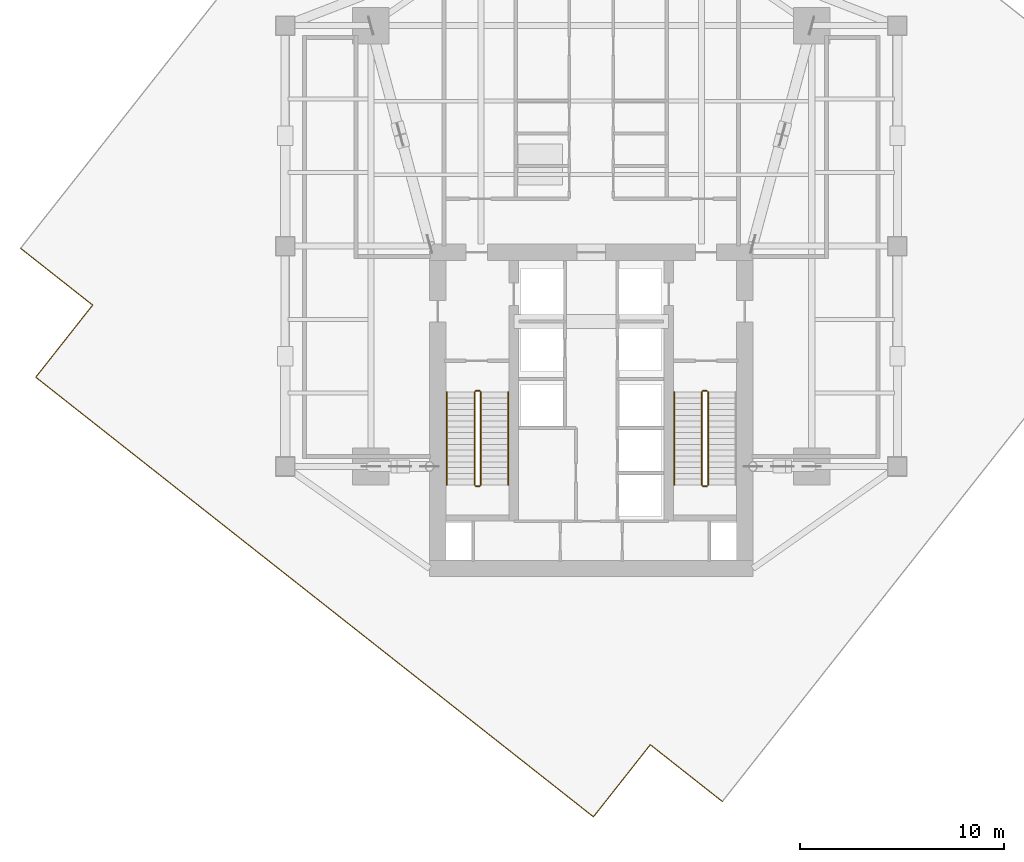
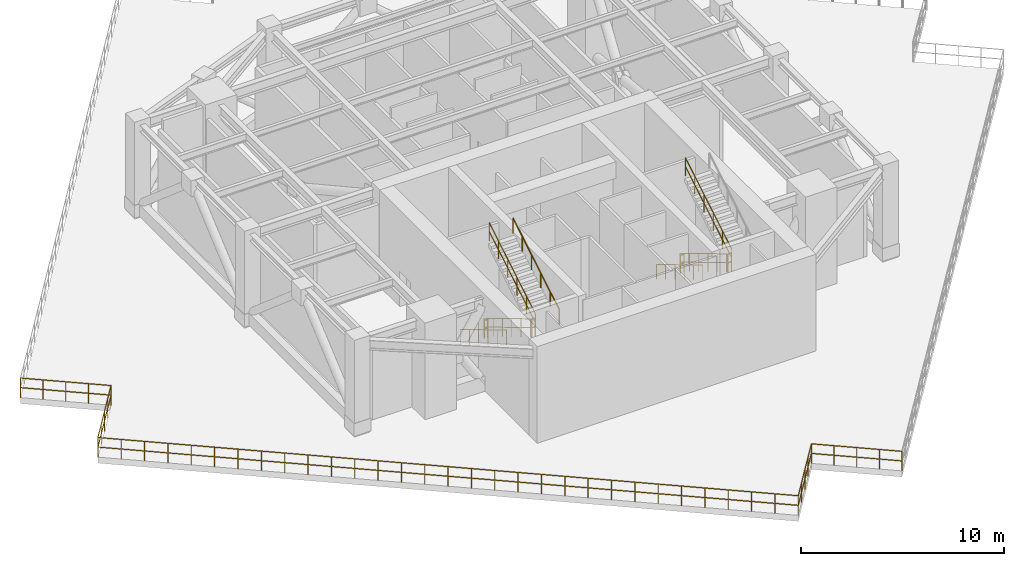
# One storey, part 7 of 8: 16 railings.
"""IFC4 building model written with IfcOpenShell, lengths in metres."""

from ifc_helpers import new_model, si_unit, direction, frame, origin, origin_2d, place, context, subcontext, project, spatial, circle, extrude, material, layer, layer_set, type_object, element, save


model = new_model("IFC4")

# Units and contexts
model_context = context("Model", 3, precision=1e-05, world=origin(), true_north=direction((0.0, 1.0)))
body_context = subcontext(model_context, "Body", "Model", "MODEL_VIEW")
ifc_project = project(units=[si_unit("LENGTHUNIT", "METRE"), si_unit("AREAUNIT", "SQUARE_METRE"), si_unit("VOLUMEUNIT", "CUBIC_METRE"), si_unit("PLANEANGLEUNIT", "RADIAN"), si_unit("MASSUNIT", "GRAM", prefix="KILO")], contexts=[model_context])

# Site, building, storey
site_placement = place(None, origin())
site = spatial("IfcSite", under=ifc_project, at=site_placement, CompositionType="ELEMENT")
building_placement = place(site_placement, origin())
building = spatial("IfcBuilding", under=site, at=building_placement, Name="Krantzveldt Concourse Tower", CompositionType="ELEMENT")
storey_placement = place(building_placement, frame((0.0, 0.0, 201.5)))
storey = spatial("IfcBuildingStorey", under=building, at=storey_placement, Name="L49", CompositionType="ELEMENT", Elevation=201.5)

# Railings
ifc_material = material(Name="Stainless steel 316L", Category="steel")
ifc_layer_1 = layer(ifc_material, 0.080078125, Name="Stainless steel 316L", Category="steel")
ifc_layer_set_1 = layer_set([ifc_layer_1], Name="Stainless steel 316L (RL-BALUSTRADE-1150)")
railing_type_1 = type_object("IfcRailingType", Name="RL-BALUSTRADE-1150", PredefinedType="BALUSTRADE", material=ifc_layer_set_1)
railing_1_placement = place(storey_placement, frame((8.029296875, 26.59375, 0.0)))
element("IfcRailing", 1, at=railing_1_placement, inside=storey, type_object=railing_type_1, Name="GD-L49-WIND-03", PredefinedType="BALUSTRADE", context=body_context, shape_type="SweptSolid", body=[
    extrude(circle(Radius=0.02392578125, at=origin_2d()), frame((0.0, 0.0, 1.17578125), z_axis=(0.785295035078, -0.619121722992, 0.0), x_axis=(0.619121722992, 0.785295035078, 0.0)), (0.0, 0.0, 1.0), 4.500244140625),
    extrude(circle(Radius=0.02392578125, at=origin_2d()), frame((0.0, 0.0, 0.60009765625), z_axis=(0.785295035078, -0.619121722992, 0.0), x_axis=(0.619121722992, 0.785295035078, 0.0)), (0.0, 0.0, 1.0), 4.500244140625),
    extrude(circle(Radius=0.02099609375, at=origin_2d()), origin(), (0.0, 0.0, 1.0), 1.15185546875),
    extrude(circle(Radius=0.02099609375, at=origin_2d()), frame((0.883544921875, -0.696533203125, 0.0)), (0.0, 0.0, 1.0), 1.15185546875),
    extrude(circle(Radius=0.02099609375, at=origin_2d()), frame((1.76708984375, -1.39306640625, 0.0)), (0.0, 0.0, 1.0), 1.15185546875),
    extrude(circle(Radius=0.02099609375, at=origin_2d()), frame((2.650390625, -2.089599609375, 0.0)), (0.0, 0.0, 1.0), 1.15185546875),
    extrude(circle(Radius=0.02099609375, at=origin_2d()), frame((3.533935546875, -2.7861328125, 0.0)), (0.0, 0.0, 1.0), 1.15185546875),
])
railing_2_placement = place(storey_placement, frame((11.563232421875, 23.8076171875, 0.0)))
element("IfcRailing", 2, at=railing_2_placement, inside=storey, type_object=railing_type_1, Name="GD-L49-WIND-04", PredefinedType="BALUSTRADE", context=body_context, shape_type="SweptSolid", body=[
    extrude(circle(Radius=0.02392578125, at=origin_2d()), frame((0.0, 0.0, 1.17578125), z_axis=(-0.619088264847, -0.785321412116, 0.0), x_axis=(0.785321412116, -0.619088264847, 0.0)), (0.0, 0.0, 1.0), 4.5),
    extrude(circle(Radius=0.02392578125, at=origin_2d()), frame((0.0, 0.0, 0.60009765625), z_axis=(-0.619088264847, -0.785321412116, 0.0), x_axis=(0.785321412116, -0.619088264847, 0.0)), (0.0, 0.0, 1.0), 4.5),
    extrude(circle(Radius=0.02099609375, at=origin_2d()), origin(), (0.0, 0.0, 1.0), 1.15185546875),
    extrude(circle(Radius=0.02099609375, at=origin_2d()), frame((-0.696533203125, -0.883544921875, 0.0)), (0.0, 0.0, 1.0), 1.15185546875),
    extrude(circle(Radius=0.02099609375, at=origin_2d()), frame((-1.39306640625, -1.76708984375, 0.0)), (0.0, 0.0, 1.0), 1.15185546875),
    extrude(circle(Radius=0.02099609375, at=origin_2d()), frame((-2.08935546875, -2.650390625, 0.0)), (0.0, 0.0, 1.0), 1.15185546875),
    extrude(circle(Radius=0.02099609375, at=origin_2d()), frame((-2.785888671875, -3.533935546875, 0.0)), (0.0, 0.0, 1.0), 1.15185546875),
])
railing_3_placement = place(storey_placement, frame((8.77734375, 20.273681640625, 0.0)))
element("IfcRailing", 3, at=railing_3_placement, inside=storey, type_object=railing_type_1, Name="GD-L49-WIND-05", PredefinedType="BALUSTRADE", context=body_context, shape_type="SweptSolid", body=[
    extrude(circle(Radius=0.02392578125, at=origin_2d()), frame((0.0, 0.0, 1.17578125), z_axis=(0.785318228662, -0.619092303078, 0.0), x_axis=(0.619092303078, 0.785318228662, 0.0)), (0.0, 0.0, 1.0), 34.800048828125),
    extrude(circle(Radius=0.02392578125, at=origin_2d()), frame((0.0, 0.0, 0.60009765625), z_axis=(0.785318228662, -0.619092303078, 0.0), x_axis=(0.619092303078, 0.785318228662, 0.0)), (0.0, 0.0, 1.0), 34.800048828125),
    extrude(circle(Radius=0.02099609375, at=origin_2d()), origin(), (0.0, 0.0, 1.0), 1.15185546875),
    extrude(circle(Radius=0.02099609375, at=origin_2d()), frame((0.910888671875, -0.71826171875, 0.0)), (0.0, 0.0, 1.0), 1.15185546875),
    extrude(circle(Radius=0.02099609375, at=origin_2d()), frame((1.822021484375, -1.436279296875, 0.0)), (0.0, 0.0, 1.0), 1.15185546875),
    extrude(circle(Radius=0.02099609375, at=origin_2d()), frame((2.73291015625, -2.154541015625, 0.0)), (0.0, 0.0, 1.0), 1.15185546875),
    extrude(circle(Radius=0.02099609375, at=origin_2d()), frame((3.643798828125, -2.87255859375, 0.0)), (0.0, 0.0, 1.0), 1.15185546875),
    extrude(circle(Radius=0.02099609375, at=origin_2d()), frame((4.554931640625, -3.5908203125, 0.0)), (0.0, 0.0, 1.0), 1.15185546875),
    extrude(circle(Radius=0.02099609375, at=origin_2d()), frame((5.4658203125, -4.308837890625, 0.0)), (0.0, 0.0, 1.0), 1.15185546875),
    extrude(circle(Radius=0.02099609375, at=origin_2d()), frame((6.376708984375, -5.027099609375, 0.0)), (0.0, 0.0, 1.0), 1.15185546875),
    extrude(circle(Radius=0.02099609375, at=origin_2d()), frame((7.287841796875, -5.7451171875, 0.0)), (0.0, 0.0, 1.0), 1.15185546875),
    extrude(circle(Radius=0.02099609375, at=origin_2d()), frame((8.19873046875, -6.46337890625, 0.0)), (0.0, 0.0, 1.0), 1.15185546875),
    extrude(circle(Radius=0.02099609375, at=origin_2d()), frame((9.109619140625, -7.181396484375, 0.0)), (0.0, 0.0, 1.0), 1.15185546875),
    extrude(circle(Radius=0.02099609375, at=origin_2d()), frame((10.020751953125, -7.899658203125, 0.0)), (0.0, 0.0, 1.0), 1.15185546875),
    extrude(circle(Radius=0.02099609375, at=origin_2d()), frame((10.931640625, -8.61767578125, 0.0)), (0.0, 0.0, 1.0), 1.15185546875),
    extrude(circle(Radius=0.02099609375, at=origin_2d()), frame((11.842529296875, -9.3359375, 0.0)), (0.0, 0.0, 1.0), 1.15185546875),
    extrude(circle(Radius=0.02099609375, at=origin_2d()), frame((12.753662109375, -10.053955078125, 0.0)), (0.0, 0.0, 1.0), 1.15185546875),
    extrude(circle(Radius=0.02099609375, at=origin_2d()), frame((13.66455078125, -10.772216796875, 0.0)), (0.0, 0.0, 1.0), 1.15185546875),
    extrude(circle(Radius=0.02099609375, at=origin_2d()), frame((14.575439453125, -11.490478515625, 0.0)), (0.0, 0.0, 1.0), 1.15185546875),
    extrude(circle(Radius=0.02099609375, at=origin_2d()), frame((15.486572265625, -12.20849609375, 0.0)), (0.0, 0.0, 1.0), 1.15185546875),
    extrude(circle(Radius=0.02099609375, at=origin_2d()), frame((16.3974609375, -12.9267578125, 0.0)), (0.0, 0.0, 1.0), 1.15185546875),
    extrude(circle(Radius=0.02099609375, at=origin_2d()), frame((17.308349609375, -13.644775390625, 0.0)), (0.0, 0.0, 1.0), 1.15185546875),
    extrude(circle(Radius=0.02099609375, at=origin_2d()), frame((18.219482421875, -14.363037109375, 0.0)), (0.0, 0.0, 1.0), 1.15185546875),
    extrude(circle(Radius=0.02099609375, at=origin_2d()), frame((19.13037109375, -15.0810546875, 0.0)), (0.0, 0.0, 1.0), 1.15185546875),
    extrude(circle(Radius=0.02099609375, at=origin_2d()), frame((20.041259765625, -15.79931640625, 0.0)), (0.0, 0.0, 1.0), 1.15185546875),
    extrude(circle(Radius=0.02099609375, at=origin_2d()), frame((20.952392578125, -16.517333984375, 0.0)), (0.0, 0.0, 1.0), 1.15185546875),
    extrude(circle(Radius=0.02099609375, at=origin_2d()), frame((21.86328125, -17.235595703125, 0.0)), (0.0, 0.0, 1.0), 1.15185546875),
    extrude(circle(Radius=0.02099609375, at=origin_2d()), frame((22.774169921875, -17.95361328125, 0.0)), (0.0, 0.0, 1.0), 1.15185546875),
    extrude(circle(Radius=0.02099609375, at=origin_2d()), frame((23.685302734375, -18.671875, 0.0)), (0.0, 0.0, 1.0), 1.15185546875),
    extrude(circle(Radius=0.02099609375, at=origin_2d()), frame((24.59619140625, -19.389892578125, 0.0)), (0.0, 0.0, 1.0), 1.15185546875),
    extrude(circle(Radius=0.02099609375, at=origin_2d()), frame((25.507080078125, -20.108154296875, 0.0)), (0.0, 0.0, 1.0), 1.15185546875),
    extrude(circle(Radius=0.02099609375, at=origin_2d()), frame((26.418212890625, -20.826171875, 0.0)), (0.0, 0.0, 1.0), 1.15185546875),
    extrude(circle(Radius=0.02099609375, at=origin_2d()), frame((27.3291015625, -21.54443359375, 0.0)), (0.0, 0.0, 1.0), 1.15185546875),
])
railing_4_placement = place(storey_placement, frame((36.1064453125, -1.270751953125, 0.0)))
element("IfcRailing", 4, at=railing_4_placement, inside=storey, type_object=railing_type_1, Name="GD-L49-WIND-06", PredefinedType="BALUSTRADE", context=body_context, shape_type="SweptSolid", body=[
    extrude(circle(Radius=0.02392578125, at=origin_2d()), frame((0.0, 0.0, 1.17578125), z_axis=(0.619088264847, 0.785321412116, 0.0), x_axis=(-0.785321412116, 0.619088264847, 0.0)), (0.0, 0.0, 1.0), 4.5),
    extrude(circle(Radius=0.02392578125, at=origin_2d()), frame((0.0, 0.0, 0.60009765625), z_axis=(0.619088264847, 0.785321412116, 0.0), x_axis=(-0.785321412116, 0.619088264847, 0.0)), (0.0, 0.0, 1.0), 4.5),
    extrude(circle(Radius=0.02099609375, at=origin_2d()), origin(), (0.0, 0.0, 1.0), 1.15185546875),
    extrude(circle(Radius=0.02099609375, at=origin_2d()), frame((0.696533203125, 0.883544921875, 0.0)), (0.0, 0.0, 1.0), 1.15185546875),
    extrude(circle(Radius=0.02099609375, at=origin_2d()), frame((1.39306640625, 1.76708984375, 0.0)), (0.0, 0.0, 1.0), 1.15185546875),
    extrude(circle(Radius=0.02099609375, at=origin_2d()), frame((2.08935546875, 2.650390625, 0.0)), (0.0, 0.0, 1.0), 1.15185546875),
    extrude(circle(Radius=0.02099609375, at=origin_2d()), frame((2.785888671875, 3.533935546875, 0.0)), (0.0, 0.0, 1.0), 1.15185546875),
])
railing_5_placement = place(storey_placement, frame((38.892333984375, 2.26318359375, 0.0)))
element("IfcRailing", 5, at=railing_5_placement, inside=storey, type_object=railing_type_1, Name="GD-L49-WIND-07", PredefinedType="BALUSTRADE", context=body_context, shape_type="SweptSolid", body=[
    extrude(circle(Radius=0.02392578125, at=origin_2d()), frame((0.0, 0.0, 1.17578125), z_axis=(0.785321412116, -0.619088264847, 0.0), x_axis=(0.619088264847, 0.785321412116, 0.0)), (0.0, 0.0, 1.0), 4.5),
    extrude(circle(Radius=0.02392578125, at=origin_2d()), frame((0.0, 0.0, 0.60009765625), z_axis=(0.785321412116, -0.619088264847, 0.0), x_axis=(0.619088264847, 0.785321412116, 0.0)), (0.0, 0.0, 1.0), 4.5),
    extrude(circle(Radius=0.02099609375, at=origin_2d()), origin(), (0.0, 0.0, 1.0), 1.15185546875),
    extrude(circle(Radius=0.02099609375, at=origin_2d()), frame((0.883544921875, -0.696533203125, 0.0)), (0.0, 0.0, 1.0), 1.15185546875),
    extrude(circle(Radius=0.02099609375, at=origin_2d()), frame((1.76708984375, -1.39306640625, 0.0)), (0.0, 0.0, 1.0), 1.15185546875),
    extrude(circle(Radius=0.02099609375, at=origin_2d()), frame((2.650390625, -2.08935546875, 0.0)), (0.0, 0.0, 1.0), 1.15185546875),
    extrude(circle(Radius=0.02099609375, at=origin_2d()), frame((3.533935546875, -2.785888671875, 0.0)), (0.0, 0.0, 1.0), 1.15185546875),
])
ifc_layer_2 = layer(ifc_material, 0.06005859375, Name="Stainless steel 316L", Category="steel")
ifc_layer_set_2 = layer_set([ifc_layer_2], Name="Stainless steel 316L (RL-GUARD-1120)")
railing_type_2 = type_object("IfcRailingType", Name="RL-GUARD-1120", PredefinedType="GUARDRAIL", material=ifc_layer_set_2)
railing_6_placement = place(storey_placement, frame((30.280029296875, 19.550048828125, 0.170654296875)))
element("IfcRailing", 6, at=railing_6_placement, inside=storey, type_object=railing_type_2, Name="L49 ST-1 stair guard 1", PredefinedType="GUARDRAIL", context=body_context, shape_type="SweptSolid", body=[
    extrude(circle(Radius=0.02392578125, at=origin_2d()), frame((0.0, 0.0, 1.076171875), z_axis=(0.0, -0.858055844578, 0.513556391827), x_axis=(1.0, 0.0, 0.0)), (0.0, 0.0, 1.0), 5.314453125),
    extrude(circle(Radius=0.02392578125, at=origin_2d()), frame((0.0, 0.0, 0.550048828125), z_axis=(0.0, -0.858055844578, 0.513556391827), x_axis=(1.0, 0.0, 0.0)), (0.0, 0.0, 1.0), 5.314453125),
    extrude(circle(Radius=0.02099609375, at=origin_2d()), origin(), (0.0, 0.0, 1.0), 1.052001953125),
    extrude(circle(Radius=0.02099609375, at=origin_2d()), frame((0.0, -0.912109375, 0.5458984375)), (0.0, 0.0, 1.0), 1.052001953125),
    extrude(circle(Radius=0.02099609375, at=origin_2d()), frame((0.0, -1.823974609375, 1.091796875)), (0.0, 0.0, 1.0), 1.052001953125),
    extrude(circle(Radius=0.02099609375, at=origin_2d()), frame((0.0, -2.736083984375, 1.637451171875)), (0.0, 0.0, 1.0), 1.052001953125),
    extrude(circle(Radius=0.02099609375, at=origin_2d()), frame((0.0, -3.64794921875, 2.183349609375)), (0.0, 0.0, 1.0), 1.052001953125),
    extrude(circle(Radius=0.02099609375, at=origin_2d()), frame((0.0, -4.56005859375, 2.729248046875)), (0.0, 0.0, 1.0), 1.052001953125),
])
railing_7_placement = place(storey_placement, frame((30.330078125, 14.93994140625, 2.89990234375)))
element("IfcRailing", 7, at=railing_7_placement, inside=storey, type_object=railing_type_2, Name="L49 ST-1 stair guard 2", PredefinedType="GUARDRAIL", context=body_context, shape_type="SweptSolid", body=[
    extrude(circle(Radius=0.02392578125, at=origin_2d()), frame((0.0, 0.0, 1.076171875), z_axis=(1.0, 0.0, 0.0), x_axis=(0.0, 1.0, 0.0)), (0.0, 0.0, 1.0), 0.199951171875),
    extrude(circle(Radius=0.02392578125, at=origin_2d()), frame((0.0, 0.0, 0.550048828125), z_axis=(1.0, 0.0, 0.0), x_axis=(0.0, 1.0, 0.0)), (0.0, 0.0, 1.0), 0.199951171875),
    extrude(circle(Radius=0.02099609375, at=origin_2d()), origin(), (0.0, 0.0, 1.0), 1.052001953125),
    extrude(circle(Radius=0.02099609375, at=origin_2d()), frame((0.199951171875, 0.0, 0.0)), (0.0, 0.0, 1.0), 1.052001953125),
])
railing_8_placement = place(storey_placement, frame((30.580078125, 14.989990234375, 3.070556640625)))
element("IfcRailing", 8, at=railing_8_placement, inside=storey, type_object=railing_type_2, Name="L49 ST-1 stair guard 3", PredefinedType="GUARDRAIL", context=body_context, shape_type="SweptSolid", body=[
    extrude(circle(Radius=0.02392578125, at=origin_2d()), frame((0.0, 0.0, 1.076171875), z_axis=(0.0, 0.858035600736, 0.513590213954), x_axis=(-1.0, 0.0, 0.0)), (0.0, 0.0, 1.0), 5.314453125),
    extrude(circle(Radius=0.02392578125, at=origin_2d()), frame((0.0, 0.0, 0.550048828125), z_axis=(0.0, 0.858035600736, 0.513590213954), x_axis=(-1.0, 0.0, 0.0)), (0.0, 0.0, 1.0), 5.314453125),
    extrude(circle(Radius=0.02099609375, at=origin_2d()), origin(), (0.0, 0.0, 1.0), 1.052001953125),
    extrude(circle(Radius=0.02099609375, at=origin_2d()), frame((0.0, 0.912109375, 0.5458984375)), (0.0, 0.0, 1.0), 1.052001953125),
    extrude(circle(Radius=0.02099609375, at=origin_2d()), frame((0.0, 1.823974609375, 1.091796875)), (0.0, 0.0, 1.0), 1.052001953125),
    extrude(circle(Radius=0.02099609375, at=origin_2d()), frame((0.0, 2.736083984375, 1.6376953125)), (0.0, 0.0, 1.0), 1.052001953125),
    extrude(circle(Radius=0.02099609375, at=origin_2d()), frame((0.0, 3.64794921875, 2.18359375)), (0.0, 0.0, 1.0), 1.052001953125),
    extrude(circle(Radius=0.02099609375, at=origin_2d()), frame((0.0, 4.56005859375, 2.7294921875)), (0.0, 0.0, 1.0), 1.052001953125),
])
railing_9_placement = place(storey_placement, frame((30.330078125, 19.60009765625, 0.0)))
element("IfcRailing", 9, at=railing_9_placement, inside=storey, type_object=railing_type_2, Name="L49 ST-1 stair guard 4", PredefinedType="GUARDRAIL", context=body_context, shape_type="SweptSolid", body=[
    extrude(circle(Radius=0.02392578125, at=origin_2d()), frame((0.0, 0.0, 1.076171875), z_axis=(1.0, 0.0, 0.0), x_axis=(0.0, 1.0, 0.0)), (0.0, 0.0, 1.0), 0.199951171875),
    extrude(circle(Radius=0.02392578125, at=origin_2d()), frame((0.0, 0.0, 0.550048828125), z_axis=(1.0, 0.0, 0.0), x_axis=(0.0, 1.0, 0.0)), (0.0, 0.0, 1.0), 0.199951171875),
    extrude(circle(Radius=0.02099609375, at=origin_2d()), origin(), (0.0, 0.0, 1.0), 1.052001953125),
    extrude(circle(Radius=0.02099609375, at=origin_2d()), frame((0.199951171875, 0.0, 0.0)), (0.0, 0.0, 1.0), 1.052001953125),
])
railing_10_placement = place(storey_placement, frame((41.419921875, 19.550048828125, 0.170654296875)))
element("IfcRailing", 10, at=railing_10_placement, inside=storey, type_object=railing_type_2, Name="L49 ST-2 stair guard 1", PredefinedType="GUARDRAIL", context=body_context, shape_type="SweptSolid", body=[
    extrude(circle(Radius=0.02392578125, at=origin_2d()), frame((0.0, 0.0, 1.076171875), z_axis=(0.0, -0.858055844578, 0.513556391827), x_axis=(1.0, 0.0, 0.0)), (0.0, 0.0, 1.0), 5.314453125),
    extrude(circle(Radius=0.02392578125, at=origin_2d()), frame((0.0, 0.0, 0.550048828125), z_axis=(0.0, -0.858055844578, 0.513556391827), x_axis=(1.0, 0.0, 0.0)), (0.0, 0.0, 1.0), 5.314453125),
    extrude(circle(Radius=0.02099609375, at=origin_2d()), origin(), (0.0, 0.0, 1.0), 1.052001953125),
    extrude(circle(Radius=0.02099609375, at=origin_2d()), frame((0.0, -0.912109375, 0.5458984375)), (0.0, 0.0, 1.0), 1.052001953125),
    extrude(circle(Radius=0.02099609375, at=origin_2d()), frame((0.0, -1.823974609375, 1.091796875)), (0.0, 0.0, 1.0), 1.052001953125),
    extrude(circle(Radius=0.02099609375, at=origin_2d()), frame((0.0, -2.736083984375, 1.637451171875)), (0.0, 0.0, 1.0), 1.052001953125),
    extrude(circle(Radius=0.02099609375, at=origin_2d()), frame((0.0, -3.64794921875, 2.183349609375)), (0.0, 0.0, 1.0), 1.052001953125),
    extrude(circle(Radius=0.02099609375, at=origin_2d()), frame((0.0, -4.56005859375, 2.729248046875)), (0.0, 0.0, 1.0), 1.052001953125),
])
railing_11_placement = place(storey_placement, frame((41.469970703125, 14.93994140625, 2.89990234375)))
element("IfcRailing", 11, at=railing_11_placement, inside=storey, type_object=railing_type_2, Name="L49 ST-2 stair guard 2", PredefinedType="GUARDRAIL", context=body_context, shape_type="SweptSolid", body=[
    extrude(circle(Radius=0.02392578125, at=origin_2d()), frame((0.0, 0.0, 1.076171875), z_axis=(1.0, 0.0, 0.0), x_axis=(0.0, 1.0, 0.0)), (0.0, 0.0, 1.0), 0.199951171875),
    extrude(circle(Radius=0.02392578125, at=origin_2d()), frame((0.0, 0.0, 0.550048828125), z_axis=(1.0, 0.0, 0.0), x_axis=(0.0, 1.0, 0.0)), (0.0, 0.0, 1.0), 0.199951171875),
    extrude(circle(Radius=0.02099609375, at=origin_2d()), origin(), (0.0, 0.0, 1.0), 1.052001953125),
    extrude(circle(Radius=0.02099609375, at=origin_2d()), frame((0.199951171875, 0.0, 0.0)), (0.0, 0.0, 1.0), 1.052001953125),
])
railing_12_placement = place(storey_placement, frame((41.719970703125, 14.989990234375, 3.070556640625)))
element("IfcRailing", 12, at=railing_12_placement, inside=storey, type_object=railing_type_2, Name="L49 ST-2 stair guard 3", PredefinedType="GUARDRAIL", context=body_context, shape_type="SweptSolid", body=[
    extrude(circle(Radius=0.02392578125, at=origin_2d()), frame((0.0, 0.0, 1.076171875), z_axis=(0.0, 0.858035600736, 0.513590213954), x_axis=(-1.0, 0.0, 0.0)), (0.0, 0.0, 1.0), 5.314453125),
    extrude(circle(Radius=0.02392578125, at=origin_2d()), frame((0.0, 0.0, 0.550048828125), z_axis=(0.0, 0.858035600736, 0.513590213954), x_axis=(-1.0, 0.0, 0.0)), (0.0, 0.0, 1.0), 5.314453125),
    extrude(circle(Radius=0.02099609375, at=origin_2d()), origin(), (0.0, 0.0, 1.0), 1.052001953125),
    extrude(circle(Radius=0.02099609375, at=origin_2d()), frame((0.0, 0.912109375, 0.5458984375)), (0.0, 0.0, 1.0), 1.052001953125),
    extrude(circle(Radius=0.02099609375, at=origin_2d()), frame((0.0, 1.823974609375, 1.091796875)), (0.0, 0.0, 1.0), 1.052001953125),
    extrude(circle(Radius=0.02099609375, at=origin_2d()), frame((0.0, 2.736083984375, 1.6376953125)), (0.0, 0.0, 1.0), 1.052001953125),
    extrude(circle(Radius=0.02099609375, at=origin_2d()), frame((0.0, 3.64794921875, 2.18359375)), (0.0, 0.0, 1.0), 1.052001953125),
    extrude(circle(Radius=0.02099609375, at=origin_2d()), frame((0.0, 4.56005859375, 2.7294921875)), (0.0, 0.0, 1.0), 1.052001953125),
])
railing_13_placement = place(storey_placement, frame((41.469970703125, 19.60009765625, 0.0)))
element("IfcRailing", 13, at=railing_13_placement, inside=storey, type_object=railing_type_2, Name="L49 ST-2 stair guard 4", PredefinedType="GUARDRAIL", context=body_context, shape_type="SweptSolid", body=[
    extrude(circle(Radius=0.02392578125, at=origin_2d()), frame((0.0, 0.0, 1.076171875), z_axis=(1.0, 0.0, 0.0), x_axis=(0.0, 1.0, 0.0)), (0.0, 0.0, 1.0), 0.199951171875),
    extrude(circle(Radius=0.02392578125, at=origin_2d()), frame((0.0, 0.0, 0.550048828125), z_axis=(1.0, 0.0, 0.0), x_axis=(0.0, 1.0, 0.0)), (0.0, 0.0, 1.0), 0.199951171875),
    extrude(circle(Radius=0.02099609375, at=origin_2d()), origin(), (0.0, 0.0, 1.0), 1.052001953125),
    extrude(circle(Radius=0.02099609375, at=origin_2d()), frame((0.199951171875, 0.0, 0.0)), (0.0, 0.0, 1.0), 1.052001953125),
])
ifc_layer_3 = layer(ifc_material, 0.050048828125, Name="Stainless steel 316L", Category="steel")
ifc_layer_set_3 = layer_set([ifc_layer_3], Name="Stainless steel 316L (RL-HANDRAIL-920)")
railing_type_3 = type_object("IfcRailingType", Name="RL-HANDRAIL-920", PredefinedType="HANDRAIL", material=ifc_layer_set_3)
railing_14_placement = place(storey_placement, frame((28.929931640625, 19.550048828125, 0.170654296875)))
element("IfcRailing", 14, at=railing_14_placement, inside=storey, type_object=railing_type_3, Name="L49 ST-1 stair handrail 1", PredefinedType="HANDRAIL", context=body_context, shape_type="SweptSolid", body=[
    extrude(circle(Radius=0.02392578125, at=origin_2d()), frame((0.0, 0.0, 0.8759765625), z_axis=(0.0, -0.858055844578, 0.513556391827), x_axis=(1.0, 0.0, 0.0)), (0.0, 0.0, 1.0), 5.314453125),
    extrude(circle(Radius=0.02099609375, at=origin_2d()), origin(), (0.0, 0.0, 1.0), 0.851806640625),
    extrude(circle(Radius=0.02099609375, at=origin_2d()), frame((0.0, -0.912109375, 0.5458984375)), (0.0, 0.0, 1.0), 0.851806640625),
    extrude(circle(Radius=0.02099609375, at=origin_2d()), frame((0.0, -1.823974609375, 1.091796875)), (0.0, 0.0, 1.0), 0.851806640625),
    extrude(circle(Radius=0.02099609375, at=origin_2d()), frame((0.0, -2.736083984375, 1.637451171875)), (0.0, 0.0, 1.0), 0.851806640625),
    extrude(circle(Radius=0.02099609375, at=origin_2d()), frame((0.0, -3.64794921875, 2.183349609375)), (0.0, 0.0, 1.0), 0.851806640625),
    extrude(circle(Radius=0.02099609375, at=origin_2d()), frame((0.0, -4.56005859375, 2.729248046875)), (0.0, 0.0, 1.0), 0.851806640625),
])
railing_15_placement = place(storey_placement, frame((31.929931640625, 14.989990234375, 3.070556640625)))
element("IfcRailing", 15, at=railing_15_placement, inside=storey, type_object=railing_type_3, Name="L49 ST-1 stair handrail 2", PredefinedType="HANDRAIL", context=body_context, shape_type="SweptSolid", body=[
    extrude(circle(Radius=0.02392578125, at=origin_2d()), frame((0.0, 0.0, 0.8759765625), z_axis=(0.0, 0.858035600736, 0.513590213954), x_axis=(-1.0, 0.0, 0.0)), (0.0, 0.0, 1.0), 5.314453125),
    extrude(circle(Radius=0.02099609375, at=origin_2d()), origin(), (0.0, 0.0, 1.0), 0.851806640625),
    extrude(circle(Radius=0.02099609375, at=origin_2d()), frame((0.0, 0.912109375, 0.5458984375)), (0.0, 0.0, 1.0), 0.851806640625),
    extrude(circle(Radius=0.02099609375, at=origin_2d()), frame((0.0, 1.823974609375, 1.091796875)), (0.0, 0.0, 1.0), 0.851806640625),
    extrude(circle(Radius=0.02099609375, at=origin_2d()), frame((0.0, 2.736083984375, 1.6376953125)), (0.0, 0.0, 1.0), 0.851806640625),
    extrude(circle(Radius=0.02099609375, at=origin_2d()), frame((0.0, 3.64794921875, 2.18359375)), (0.0, 0.0, 1.0), 0.851806640625),
    extrude(circle(Radius=0.02099609375, at=origin_2d()), frame((0.0, 4.56005859375, 2.7294921875)), (0.0, 0.0, 1.0), 0.851806640625),
])
railing_16_placement = place(storey_placement, frame((40.070068359375, 19.550048828125, 0.170654296875)))
element("IfcRailing", 16, at=railing_16_placement, inside=storey, type_object=railing_type_3, Name="L49 ST-2 stair handrail 1", PredefinedType="HANDRAIL", context=body_context, shape_type="SweptSolid", body=[
    extrude(circle(Radius=0.02392578125, at=origin_2d()), frame((0.0, 0.0, 0.8759765625), z_axis=(0.0, -0.858055844578, 0.513556391827), x_axis=(1.0, 0.0, 0.0)), (0.0, 0.0, 1.0), 5.314453125),
    extrude(circle(Radius=0.02099609375, at=origin_2d()), origin(), (0.0, 0.0, 1.0), 0.851806640625),
    extrude(circle(Radius=0.02099609375, at=origin_2d()), frame((0.0, -0.912109375, 0.5458984375)), (0.0, 0.0, 1.0), 0.851806640625),
    extrude(circle(Radius=0.02099609375, at=origin_2d()), frame((0.0, -1.823974609375, 1.091796875)), (0.0, 0.0, 1.0), 0.851806640625),
    extrude(circle(Radius=0.02099609375, at=origin_2d()), frame((0.0, -2.736083984375, 1.637451171875)), (0.0, 0.0, 1.0), 0.851806640625),
    extrude(circle(Radius=0.02099609375, at=origin_2d()), frame((0.0, -3.64794921875, 2.183349609375)), (0.0, 0.0, 1.0), 0.851806640625),
    extrude(circle(Radius=0.02099609375, at=origin_2d()), frame((0.0, -4.56005859375, 2.729248046875)), (0.0, 0.0, 1.0), 0.851806640625),
])

save(model, "model.ifc")
